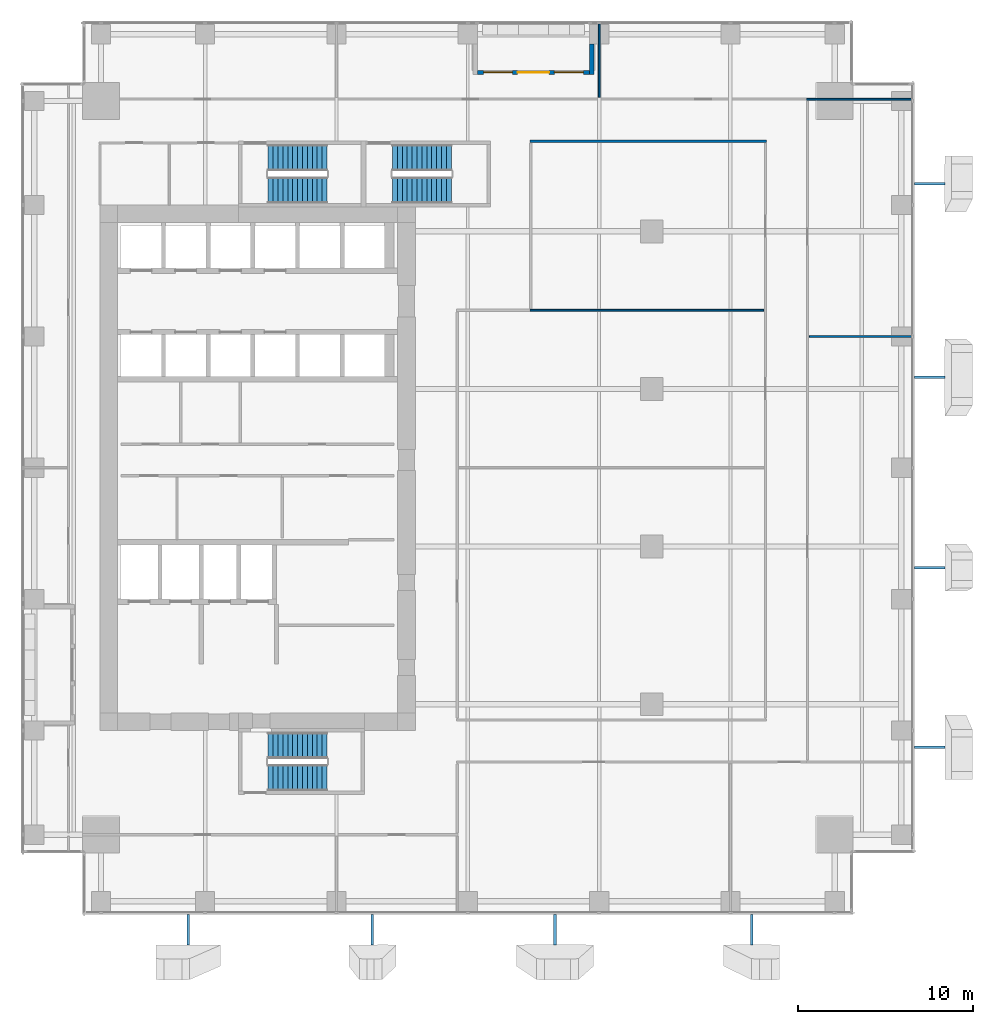
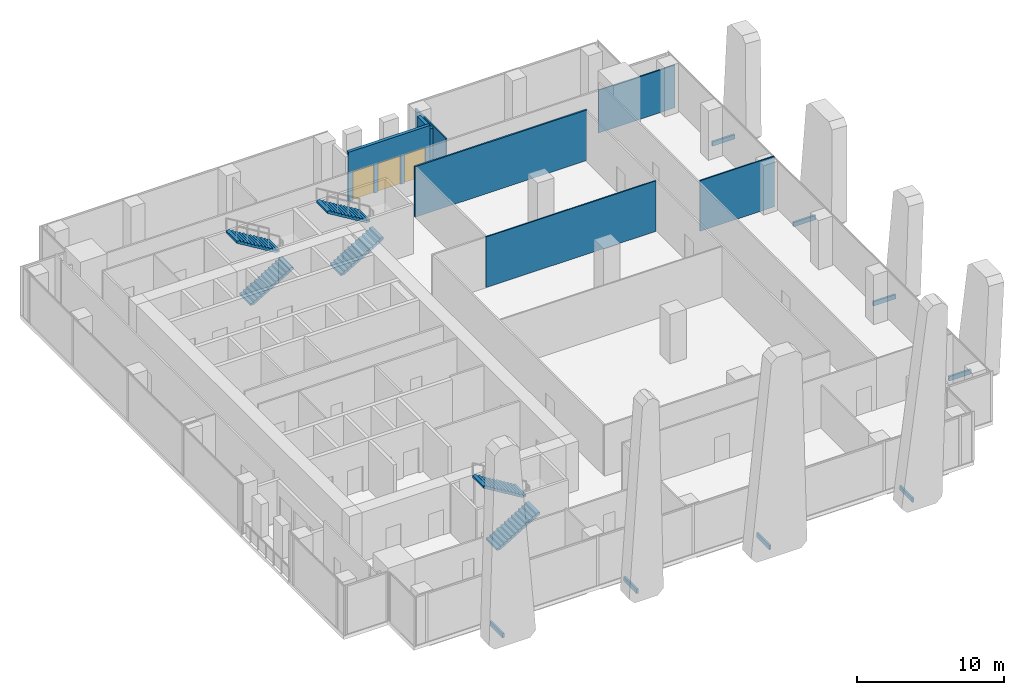
# One storey, part 31 of 35: 8 discrete accessories, 7 walls, 6 stair flights, 2 windows, 1 door, 3 openings, 3 elements without a shape of their own.
"""IFC4 building model written with IfcOpenShell, lengths in metres."""

from ifc_helpers import new_model, si_unit, direction, frame, frame_2d, origin, origin_2d, place, context, subcontext, project, spatial, polyline, rectangle, outline, extrude, source, transform, mapped, material, layer, layer_set, type_object, element, fill, aggregate, save


model = new_model("IFC4")

# Units and contexts
model_context = context("Model", 3, precision=1e-05, world=origin(), true_north=direction((0.0, 1.0)))
body_context = subcontext(model_context, "Body", "Model", "MODEL_VIEW")
ifc_project = project(units=[si_unit("LENGTHUNIT", "METRE"), si_unit("AREAUNIT", "SQUARE_METRE"), si_unit("VOLUMEUNIT", "CUBIC_METRE"), si_unit("PLANEANGLEUNIT", "RADIAN"), si_unit("MASSUNIT", "GRAM", prefix="KILO")], contexts=[model_context])

# Site, building, storey
site_placement = place(None, origin())
site = spatial("IfcSite", under=ifc_project, at=site_placement, CompositionType="ELEMENT")
building_placement = place(site_placement, origin())
building = spatial("IfcBuilding", under=site, at=building_placement, Name="Khomas Fold Tower", CompositionType="ELEMENT")
storey_placement = place(building_placement, frame((0.0, 0.0, 119.10009765625)))
storey = spatial("IfcBuildingStorey", under=building, at=storey_placement, Name="L25", CompositionType="ELEMENT", Elevation=119.10009765625)

# Wall, openings, door, windows
ifc_material_1 = material(Name="Natural stone", Category="masonry")
ifc_layer_1 = layer(ifc_material_1, 0.0400390625)
ifc_material_2 = material(Name="Mineral wool insulation", Category="insulation")
ifc_layer_2 = layer(ifc_material_2, 0.10009765625)
ifc_material_3 = material(Name="Masonry", Category="masonry")
ifc_layer_3 = layer(ifc_material_3, 0.110107421875)
ifc_layer_set_1 = layer_set([ifc_layer_1, ifc_layer_2, ifc_layer_3], Name="Stone-faced insulated masonry")
wall_type_1 = type_object("IfcWallType", Name="BL-Balcony wall", PredefinedType="SOLIDWALL", material=ifc_layer_set_1)
shared_shape_1 = source(origin(), body_context, "Body", "SweptSolid", [
    extrude(rectangle(XDim=6.39990234375, YDim=0.25, at=frame_2d((3.199951171875, 0.0))), origin(), (0.0, 0.0, 1.0), 4.099853515625),
])
wall_1_placement = place(storey_placement, frame((27.550048828125, 49.574951171875, 0.0), z_axis=(0.0, 0.0, 1.0), x_axis=(1.0, 0.0, 0.0)))
wall_1 = element("IfcWall", 1, at=wall_1_placement, inside=storey, type_object=wall_type_1, Name="Balcony wall BAL-L25-N3", PredefinedType="SOLIDWALL", context=body_context, shape_type="MappedRepresentation", body=[
    mapped(shared_shape_1, transform((0.0, 0.0, 0.0))),
])
shared_shape_2 = source(origin(), body_context, "Body", "SweptSolid", [
    extrude(rectangle(XDim=1.64990234375, YDim=2.39990234375, at=frame_2d((0.824951171875, 1.199951171875))), frame((0.0, 0.135009765625, 0.0), z_axis=(0.0, -1.0, 0.0), x_axis=(1.0, 0.0, 0.0)), (0.0, 0.0, 1.0), 0.27001953125),
])
opening_1_placement = place(wall_1_placement, frame((0.35009765625, 0.0, 0.0)))
opening_1 = element("IfcOpeningElement", 2, at=opening_1_placement, cuts=wall_1, Name="Opening BL-W2", PredefinedType="OPENING", context=body_context, shape_type="MappedRepresentation", body=[
    mapped(shared_shape_2, transform((0.0, 0.0, 0.0))),
])
opening_2_placement = place(wall_1_placement, frame((4.39990234375, 0.0, 0.0)))
opening_2 = element("IfcOpeningElement", 3, at=opening_2_placement, cuts=wall_1, Name="Opening BL-W2", PredefinedType="OPENING", context=body_context, shape_type="MappedRepresentation", body=[
    mapped(shared_shape_2, transform((0.0, 0.0, 0.0))),
])
shared_shape_3 = source(origin(), body_context, "Body", "SweptSolid", [
    extrude(rectangle(XDim=1.800048828125, YDim=2.39990234375, at=frame_2d((0.89990234375, 1.199951171875))), frame((0.0, 0.135009765625, 0.0), z_axis=(0.0, -1.0, 0.0), x_axis=(1.0, 0.0, 0.0)), (0.0, 0.0, 1.0), 0.27001953125),
])
opening_3_placement = place(wall_1_placement, frame((2.300048828125, 0.0, 0.0)))
opening_3 = element("IfcOpeningElement", 4, at=opening_3_placement, cuts=wall_1, Name="Opening BD251", PredefinedType="OPENING", context=body_context, shape_type="MappedRepresentation", body=[
    mapped(shared_shape_3, transform((0.0, 0.0, 0.0))),
])
ifc_material_4 = material(Name="Aluminium framed double glazing", Category="aluminium")
door_type = type_object("IfcDoorType", Name="BL-Glazed balcony door 1800 x 2400", OperationType="DOUBLE_DOOR_DOUBLE_SWING", PredefinedType="DOOR", material=ifc_material_4)
shared_shape_4 = source(origin(), body_context, "Body", "SweptSolid", [
    extrude(rectangle(XDim=1.800048828125, YDim=2.39990234375, at=frame_2d((0.89990234375, 1.199951171875))), frame((0.0, 0.02490234375, 0.0), z_axis=(0.0, -1.0, 0.0), x_axis=(1.0, 0.0, 0.0)), (0.0, 0.0, 1.0), 0.050048828125),
])
door_placement = place(opening_3_placement, origin())
door = element("IfcDoor", 5, at=door_placement, inside=storey, type_object=door_type, Name="Balcony door BD251", OperationType="DOUBLE_DOOR_DOUBLE_SWING", OverallHeight=2.39990234375, OverallWidth=1.800048828125, PredefinedType="DOOR", context=body_context, shape_type="MappedRepresentation", body=[
    mapped(shared_shape_4, transform((0.0, 0.0, 0.0))),
])
fill(opening_3, door)
ifc_material_5 = material(Name="Aluminium framed double glazing", Category="aluminium")
window_type = type_object("IfcWindowType", Name="BL-Fixed glazing 1650 x 2400", PartitioningType="SINGLE_PANEL", PredefinedType="WINDOW", material=ifc_material_5)
shared_shape_5 = source(origin(), body_context, "Body", "SweptSolid", [
    extrude(rectangle(XDim=1.64990234375, YDim=2.39990234375, at=frame_2d((0.824951171875, 1.199951171875))), frame((0.0, 0.030029296875, 0.0), z_axis=(0.0, -1.0, 0.0), x_axis=(1.0, 0.0, 0.0)), (0.0, 0.0, 1.0), 0.06005859375),
])
window_1_placement = place(opening_1_placement, origin())
window_1 = element("IfcWindow", 6, at=window_1_placement, inside=storey, type_object=window_type, Name="Balcony glazing BAL-L25-N3-1", OverallHeight=2.39990234375, OverallWidth=1.64990234375, PartitioningType="SINGLE_PANEL", PredefinedType="WINDOW", context=body_context, shape_type="MappedRepresentation", body=[
    mapped(shared_shape_5, transform((0.0, 0.0, 0.0))),
])
fill(opening_1, window_1)
window_2_placement = place(opening_2_placement, origin())
window_2 = element("IfcWindow", 7, at=window_2_placement, inside=storey, type_object=window_type, Name="Balcony glazing BAL-L25-N3-2", OverallHeight=2.39990234375, OverallWidth=1.64990234375, PartitioningType="SINGLE_PANEL", PredefinedType="WINDOW", context=body_context, shape_type="MappedRepresentation", body=[
    mapped(shared_shape_5, transform((0.0, 0.0, 0.0))),
])
fill(opening_2, window_2)

# Walls
shared_shape_6 = source(origin(), body_context, "Body", "SweptSolid", [
    extrude(rectangle(XDim=1.75, YDim=0.25, at=frame_2d((0.875, 0.0))), origin(), (0.0, 0.0, 1.0), 3.7998046875),
])
wall_2_placement = place(storey_placement, frame((34.074951171875, 51.199951171875, 0.0), z_axis=(0.0, 0.0, 1.0), x_axis=(0.0, -1.0, 0.0)))
element("IfcWall", 8, at=wall_2_placement, inside=storey, type_object=wall_type_1, Name="Balcony return wall BAL-L25-N3-hi", PredefinedType="SOLIDWALL", context=body_context, shape_type="MappedRepresentation", body=[
    mapped(shared_shape_6, transform((0.0, 0.0, 0.0))),
])
ifc_material_6 = material(Name="Plasterboard partition")
ifc_layer_4 = layer(ifc_material_6, 0.10009765625)
ifc_layer_set_2 = layer_set([ifc_layer_4], Name="Plasterboard partition")
wall_type_2 = type_object("IfcWallType", Name="Partition PW1 100", PredefinedType="PARTITIONING", material=ifc_layer_set_2)
shared_shape_7 = source(origin(), body_context, "Body", "SweptSolid", [
    extrude(rectangle(XDim=5.85009765625, YDim=0.10009765625, at=frame_2d((2.925048828125, 0.0))), origin(), (0.0, 0.0, 1.0), 4.199951171875),
])
wall_3_placement = place(storey_placement, frame((46.5, 34.5, 0.0), z_axis=(0.0, 0.0, 1.0), x_axis=(1.0, 0.0, 0.0)))
element("IfcWall", 9, at=wall_3_placement, inside=storey, type_object=wall_type_2, Name="Partition", PredefinedType="PARTITIONING", context=body_context, shape_type="MappedRepresentation", body=[
    mapped(shared_shape_7, transform((0.0, 0.0, 0.0))),
])
shared_shape_8 = source(origin(), body_context, "Body", "SweptSolid", [
    extrude(rectangle(XDim=13.349853515625, YDim=0.10009765625, at=frame_2d((6.6748046875, 0.0))), origin(), (0.0, 0.0, 1.0), 4.199951171875),
])
wall_4_placement = place(storey_placement, frame((30.550048828125, 36.0, 0.0), z_axis=(0.0, 0.0, 1.0), x_axis=(1.0, 0.0, 0.0)))
element("IfcWall", 10, at=wall_4_placement, inside=storey, type_object=wall_type_2, Name="Partition", PredefinedType="PARTITIONING", context=body_context, shape_type="MappedRepresentation", body=[
    mapped(shared_shape_8, transform((0.0, 0.0, 0.0))),
])
ifc_material_7 = material(Name="Plasterboard partition")
ifc_layer_5 = layer(ifc_material_7, 0.125)
ifc_layer_set_3 = layer_set([ifc_layer_5], Name="Plasterboard partition")
wall_type_3 = type_object("IfcWallType", Name="Partition PW2 125", PredefinedType="PARTITIONING", material=ifc_layer_set_3)
shared_shape_9 = source(origin(), body_context, "Body", "SweptSolid", [
    extrude(rectangle(XDim=13.5, YDim=0.125, at=frame_2d((6.75, 0.0))), origin(), (0.0, 0.0, 1.0), 4.199951171875),
])
wall_5_placement = place(storey_placement, frame((30.550048828125, 45.64990234375, 0.0), z_axis=(0.0, 0.0, 1.0), x_axis=(1.0, 0.0, 0.0)))
element("IfcWall", 11, at=wall_5_placement, inside=storey, type_object=wall_type_3, Name="Partition", PredefinedType="PARTITIONING", context=body_context, shape_type="MappedRepresentation", body=[
    mapped(shared_shape_9, transform((0.0, 0.0, 0.0))),
])
shared_shape_10 = source(origin(), body_context, "Body", "SweptSolid", [
    extrude(rectangle(XDim=6.0, YDim=0.10009765625, at=frame_2d((3.0, 0.0))), origin(), (0.0, 0.0, 1.0), 3.5498046875),
])
wall_6_placement = place(storey_placement, frame((46.35009765625, 48.050048828125, 0.0), z_axis=(0.0, 0.0, 1.0), x_axis=(1.0, 0.0, 0.0)))
element("IfcWall", 12, at=wall_6_placement, inside=storey, type_object=wall_type_2, Name="Partition", PredefinedType="PARTITIONING", context=body_context, shape_type="MappedRepresentation", body=[
    mapped(shared_shape_10, transform((0.0, 0.0, 0.0))),
])
shared_shape_11 = source(origin(), body_context, "Body", "SweptSolid", [
    extrude(rectangle(XDim=4.2001953125, YDim=0.10009765625, at=frame_2d((2.10009765625, 0.0))), origin(), (0.0, 0.0, 1.0), 3.599853515625),
])
wall_7_placement = place(storey_placement, frame((34.5, 48.14990234375, 0.0), z_axis=(0.0, 0.0, 1.0), x_axis=(0.0, 1.0, 0.0)))
element("IfcWall", 13, at=wall_7_placement, inside=storey, type_object=wall_type_2, Name="Partition", PredefinedType="PARTITIONING", context=body_context, shape_type="MappedRepresentation", body=[
    mapped(shared_shape_11, transform((0.0, 0.0, 0.0))),
])

# Stair, stair flights
ifc_material_8 = material(Name="Concrete C40/50", Category="concrete")
stair_type_1 = type_object("IfcStairType", Name="Stair ST1", PredefinedType="HALF_TURN_STAIR", material=ifc_material_8)
stair_1_placement = place(storey_placement, origin())
stair_1 = element("IfcStair", 14, at=stair_1_placement, inside=storey, type_object=stair_type_1, Name="L25 ST1", PredefinedType="HALF_TURN_STAIR")
ifc_material_9 = material(Name="Concrete C40/50", Category="concrete")
stair_flight_type_1 = type_object("IfcStairFlightType", Name="Stair flight 1500 ST1", PredefinedType="STRAIGHT", material=ifc_material_9)
shared_shape_12 = source(origin(), body_context, "Body", "SweptSolid", [
    extrude(outline(polyline([(0.0, 0.0), (0.0, 0.012939453125), (0.0, 0.026123046875), (0.0, 0.0390625), (0.0, 0.052001953125), (0.0, 0.065185546875), (0.0, 0.078125), (0.0, 0.091064453125), (0.0, 0.104248046875), (0.0, 0.1171875), (0.0, 0.130126953125), (0.0, 0.143310546875), (0.0, 0.15625), (0.0, 0.169189453125), (0.280029296875, 0.169189453125), (0.280029296875, 0.33837890625), (0.56005859375, 0.33837890625), (0.56005859375, 0.5078125), (0.840087890625, 0.5078125), (0.840087890625, 0.677001953125), (1.1201171875, 0.677001953125), (1.1201171875, 0.84619140625), (1.39990234375, 0.84619140625), (1.39990234375, 1.015380859375), (1.679931640625, 1.015380859375), (1.679931640625, 1.1845703125), (1.9599609375, 1.1845703125), (1.9599609375, 1.353759765625), (2.239990234375, 1.353759765625), (2.239990234375, 1.523193359375), (2.52001953125, 1.523193359375), (2.52001953125, 1.6923828125), (2.800048828125, 1.6923828125), (2.800048828125, 1.861572265625), (3.080078125, 1.861572265625), (3.080078125, 2.03076171875), (3.360107421875, 2.03076171875), (3.360107421875, 2.199951171875), (3.360107421875, 2.173583984375), (3.360107421875, 2.14697265625), (3.360107421875, 2.12060546875), (3.360107421875, 2.093994140625), (3.360107421875, 2.067626953125), (3.360107421875, 2.041015625), (3.360107421875, 2.0146484375), (3.360107421875, 1.988037109375), (3.360107421875, 1.961669921875), (3.360107421875, 1.93505859375), (3.360107421875, 1.90869140625), (3.360107421875, 1.882080078125), (3.360107421875, 1.855712890625), (0.289794921875, 0.0), (0.0, 0.0)])), frame((0.0, 0.75, 0.0), z_axis=(0.0, -1.0, 0.0), x_axis=(1.0, 0.0, 0.0)), (0.0, 0.0, 1.0), 1.5),
])
stair_flight_1_placement = place(storey_placement, frame((15.60009765625, 42.85009765625, 0.0), z_axis=(0.0, 0.0, 1.0), x_axis=(1.0, 0.0, 0.0)))
stair_flight_1 = element("IfcStairFlight", 15, at=stair_flight_1_placement, type_object=stair_flight_type_1, Name="ST1 flight 1", NumberOfRisers=13, NumberOfTreads=12, PredefinedType="STRAIGHT", RiserHeight=0.169230769, TreadLength=0.28, context=body_context, shape_type="MappedRepresentation", body=[
    mapped(shared_shape_12, transform((0.0, 0.0, 0.0))),
])
stair_flight_2_placement = place(storey_placement, frame((18.9599609375, 44.699951171875, 2.199951171875), z_axis=(0.0, 0.0, 1.0), x_axis=(-1.0, 0.0, 0.0)))
stair_flight_2 = element("IfcStairFlight", 16, at=stair_flight_2_placement, type_object=stair_flight_type_1, Name="ST1 flight 2", NumberOfRisers=13, NumberOfTreads=12, PredefinedType="STRAIGHT", RiserHeight=0.169230769, TreadLength=0.28, context=body_context, shape_type="MappedRepresentation", body=[
    mapped(shared_shape_12, transform((0.0, 0.0, 0.0))),
])
aggregate(stair_1, [stair_flight_1, stair_flight_2])

ifc_material_10 = material(Name="Concrete C40/50", Category="concrete")
stair_type_2 = type_object("IfcStairType", Name="Stair ST2", PredefinedType="HALF_TURN_STAIR", material=ifc_material_10)
stair_2_placement = place(storey_placement, origin())
stair_2 = element("IfcStair", 17, at=stair_2_placement, inside=storey, type_object=stair_type_2, Name="L25 ST2", PredefinedType="HALF_TURN_STAIR")
ifc_material_11 = material(Name="Concrete C40/50", Category="concrete")
stair_flight_type_2 = type_object("IfcStairFlightType", Name="Stair flight 1500 ST2", PredefinedType="STRAIGHT", material=ifc_material_11)
stair_flight_3_placement = place(storey_placement, frame((15.60009765625, 9.300048828125, 0.0), z_axis=(0.0, 0.0, 1.0), x_axis=(1.0, 0.0, 0.0)))
stair_flight_3 = element("IfcStairFlight", 18, at=stair_flight_3_placement, type_object=stair_flight_type_2, Name="ST2 flight 1", NumberOfRisers=13, NumberOfTreads=12, PredefinedType="STRAIGHT", RiserHeight=0.169230769, TreadLength=0.28, context=body_context, shape_type="MappedRepresentation", body=[
    mapped(shared_shape_12, transform((0.0, 0.0, 0.0))),
])
stair_flight_4_placement = place(storey_placement, frame((18.9599609375, 11.14990234375, 2.199951171875), z_axis=(0.0, 0.0, 1.0), x_axis=(-1.0, 0.0, 0.0)))
stair_flight_4 = element("IfcStairFlight", 19, at=stair_flight_4_placement, type_object=stair_flight_type_2, Name="ST2 flight 2", NumberOfRisers=13, NumberOfTreads=12, PredefinedType="STRAIGHT", RiserHeight=0.169230769, TreadLength=0.28, context=body_context, shape_type="MappedRepresentation", body=[
    mapped(shared_shape_12, transform((0.0, 0.0, 0.0))),
])
aggregate(stair_2, [stair_flight_3, stair_flight_4])

ifc_material_12 = material(Name="Concrete C40/50", Category="concrete")
stair_type_3 = type_object("IfcStairType", Name="Stair ST3", PredefinedType="HALF_TURN_STAIR", material=ifc_material_12)
stair_3_placement = place(storey_placement, origin())
stair_3 = element("IfcStair", 20, at=stair_3_placement, inside=storey, type_object=stair_type_3, Name="L25 ST3", PredefinedType="HALF_TURN_STAIR")
ifc_material_13 = material(Name="Concrete C40/50", Category="concrete")
stair_flight_type_3 = type_object("IfcStairFlightType", Name="Stair flight 1500 ST3", PredefinedType="STRAIGHT", material=ifc_material_13)
stair_flight_5_placement = place(storey_placement, frame((22.699951171875, 42.85009765625, 0.0), z_axis=(0.0, 0.0, 1.0), x_axis=(1.0, 0.0, 0.0)))
stair_flight_5 = element("IfcStairFlight", 21, at=stair_flight_5_placement, type_object=stair_flight_type_3, Name="ST3 flight 1", NumberOfRisers=13, NumberOfTreads=12, PredefinedType="STRAIGHT", RiserHeight=0.169230769, TreadLength=0.28, context=body_context, shape_type="MappedRepresentation", body=[
    mapped(shared_shape_12, transform((0.0, 0.0, 0.0))),
])
stair_flight_6_placement = place(storey_placement, frame((26.06005859375, 44.699951171875, 2.199951171875), z_axis=(0.0, 0.0, 1.0), x_axis=(-1.0, 0.0, 0.0)))
stair_flight_6 = element("IfcStairFlight", 22, at=stair_flight_6_placement, type_object=stair_flight_type_3, Name="ST3 flight 2", NumberOfRisers=13, NumberOfTreads=12, PredefinedType="STRAIGHT", RiserHeight=0.169230769, TreadLength=0.28, context=body_context, shape_type="MappedRepresentation", body=[
    mapped(shared_shape_12, transform((0.0, 0.0, 0.0))),
])
aggregate(stair_3, [stair_flight_5, stair_flight_6])

# Discrete accessories
ifc_material_14 = material(Name="Stainless steel", Category="steel")
discrete_accessory_type = type_object("IfcDiscreteAccessoryType", Name="SK-Stainless steel stone bracket", PredefinedType="BRACKET", material=ifc_material_14)
shared_shape_13 = source(origin(), body_context, "Body", "SweptSolid", [
    extrude(rectangle(XDim=1.761962890625, YDim=0.14990234375, at=origin_2d()), origin(), (0.0, 0.0, 1.0), 0.360107421875),
])
for number, where, z_axis, x_axis, name in (
    (23, (11.033447265625, 0.619140625, -0.30029296875), (0.0, 0.0, 1.0), (0.0, -1.0, 0.0), "Stone bracket L25 SS03-1-1"),
    (24, (21.5537109375, 0.619140625, -0.30029296875), (0.0, 0.0, 1.0), (0.0, -1.0, 0.0), "Stone bracket L25 SS06-2-1"),
    (25, (31.982177734375, 0.619140625, -0.30029296875), (0.0, 0.0, 1.0), (0.0, -1.0, 0.0), "Stone bracket L25 SS09-3-1"),
    (26, (43.209716796875, 0.619140625, -0.30029296875), (0.0, 0.0, 1.0), (0.0, -1.0, 0.0), "Stone bracket L25 SS12-4-1"),
    (27, (53.380859375, 11.033447265625, -0.30029296875), (0.0, 0.0, 1.0), (1.0, 0.0, 0.0), "Stone bracket L25 ES03-1-1"),
    (28, (53.380859375, 21.302490234375, -0.30029296875), (0.0, 0.0, 1.0), (1.0, 0.0, 0.0), "Stone bracket L25 ES06-2-1"),
    (29, (53.380859375, 32.1630859375, -0.30029296875), (0.0, 0.0, 1.0), (1.0, 0.0, 0.0), "Stone bracket L25 ES09-3-1"),
    (30, (53.380859375, 43.209716796875, -0.30029296875), (0.0, 0.0, 1.0), (1.0, 0.0, 0.0), "Stone bracket L25 ES12-4-1"),
):
    element("IfcDiscreteAccessory", number, at=place(storey_placement, frame(where, z_axis=z_axis, x_axis=x_axis)), inside=storey, type_object=discrete_accessory_type, Name=name, PredefinedType="BRACKET", context=body_context, shape_type="MappedRepresentation", body=[
        mapped(shared_shape_13, transform((0.0, 0.0, 0.0))),
    ])

save(model, "model.ifc")
